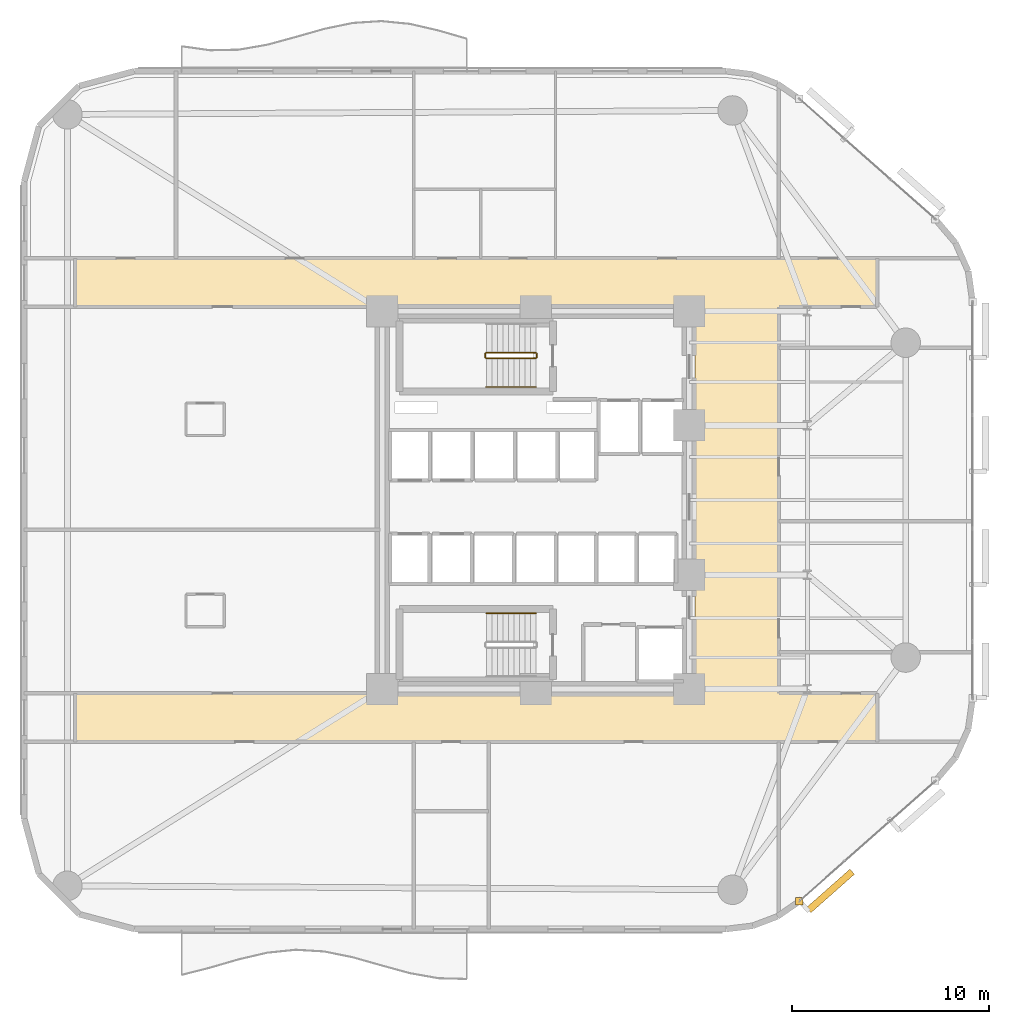
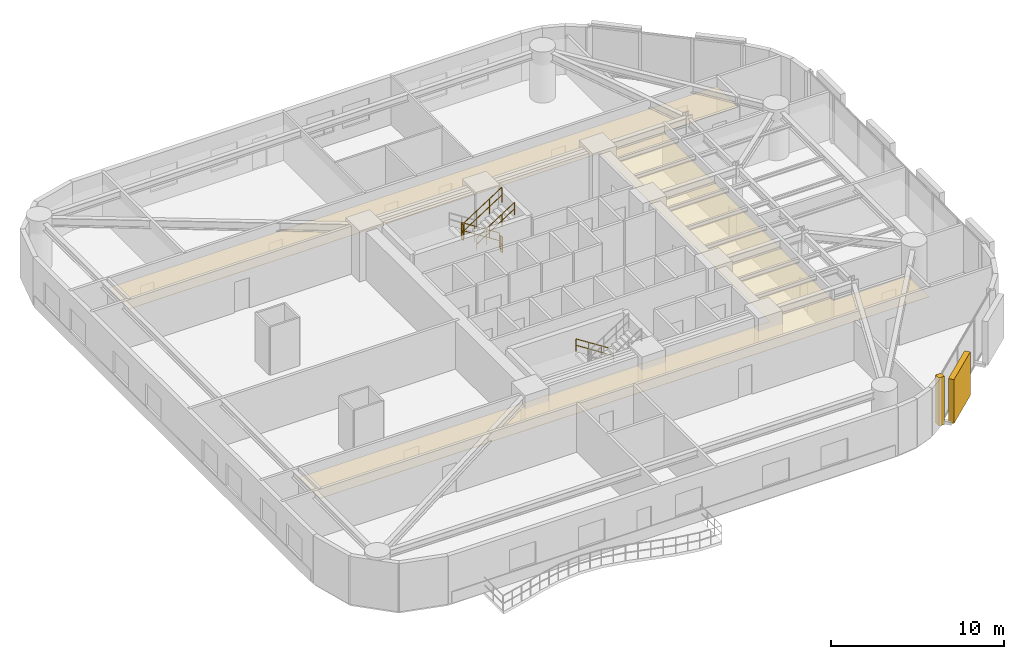
# One storey, part 15 of 16: 6 railings, 2 coverings, 1 shading device.
"""IFC4 building model written with IfcOpenShell, lengths in metres."""

from ifc_helpers import new_model, si_unit, direction, frame, origin, origin_2d, place, context, subcontext, project, spatial, polyline, rectangle, circle, outline, extrude, material, layer, layer_set, type_object, element, save


model = new_model("IFC4")

# Units and contexts
model_context = context("Model", 3, precision=1e-05, world=origin(), true_north=direction((0.0, 1.0)))
body_context = subcontext(model_context, "Body", "Model", "MODEL_VIEW")
ifc_project = project(units=[si_unit("LENGTHUNIT", "METRE"), si_unit("AREAUNIT", "SQUARE_METRE"), si_unit("VOLUMEUNIT", "CUBIC_METRE"), si_unit("PLANEANGLEUNIT", "RADIAN"), si_unit("MASSUNIT", "GRAM", prefix="KILO")], contexts=[model_context])

# Site, building, storey
site_placement = place(None, origin())
site = spatial("IfcSite", under=ifc_project, at=site_placement, CompositionType="ELEMENT")
building_placement = place(site_placement, origin())
building = spatial("IfcBuilding", under=site, at=building_placement, Name="An Khanh Terracotta Commons", CompositionType="ELEMENT")
storey_placement = place(building_placement, frame((0.0, 0.0, 43.199951171875)))
storey = spatial("IfcBuildingStorey", under=building, at=storey_placement, Name="L11", CompositionType="ELEMENT", Elevation=43.199951171875)

# Coverings
ifc_material_1 = material(Name="Perforated Mineral-Fibre Acoustic Tile")
ifc_layer_1 = layer(ifc_material_1, 0.02001953125, Name="Perforated Mineral-Fibre Acoustic Tile")
ifc_layer_set_1 = layer_set([ifc_layer_1], Name="Perforated Mineral-Fibre Acoustic Tile")
covering_type_1 = type_object("IfcCoveringType", Name="CEIL-ACOUSTIC-18", PredefinedType="CEILING", material=ifc_layer_set_1)
covering_1_placement = place(storey_placement, frame((0.0, 0.0, 2.650146484375)))
element("IfcCovering", 1, at=covering_1_placement, inside=storey, type_object=covering_type_1, Name="L11 Corridor Ceiling", PredefinedType="CEILING", context=body_context, shape_type="SweptSolid", body=[
    extrude(outline(polyline([(37.5, 14.179931640625), (37.5, 33.820068359375), (6.0, 33.820068359375), (6.0, 36.280029296875), (37.5, 36.280029296875), (41.75, 36.280029296875), (46.75, 36.280029296875), (46.75, 33.820068359375), (41.75, 33.820068359375), (41.75, 14.179931640625), (46.75, 14.179931640625), (46.75, 11.719970703125), (41.75, 11.719970703125), (37.5, 11.719970703125), (6.0, 11.719970703125), (6.0, 14.179931640625), (37.5, 14.179931640625)])), origin(), (0.0, 0.0, 1.0), 0.02001953125),
])
ifc_material_2 = material(Name="Fired Terracotta Rainscreen Cladding", Category="masonry")
ifc_layer_2 = layer(ifc_material_2, 0.080078125, Name="Fired Terracotta Rainscreen Cladding")
ifc_layer_set_2 = layer_set([ifc_layer_2], Name="Fired Terracotta Rainscreen Cladding")
covering_type_2 = type_object("IfcCoveringType", Name="COV-JAMB-TERRA", PredefinedType="CLADDING", material=ifc_layer_set_2)
covering_2_placement = place(storey_placement, frame((42.7890625, 3.60595703125, 0.0), z_axis=(0.0, 0.0, 1.0), x_axis=(1.0, 0.0, 0.0)))
element("IfcCovering", 2, at=covering_2_placement, inside=storey, type_object=covering_type_2, Name="L11 CW-02 Curtain-Wall Jamb Closure JA", PredefinedType="CLADDING", context=body_context, shape_type="SweptSolid", body=[
    extrude(rectangle(XDim=0.3798828125, YDim=0.3798828125, at=origin_2d()), origin(), (0.0, 0.0, 1.0), 3.39990234375),
])

# Railings
ifc_material_3 = material(Name="Brushed Stainless Steel 316", Category="steel")
railing_type_1 = type_object("IfcRailingType", Name="RAIL-HANDRAIL-900", PredefinedType="HANDRAIL", material=ifc_material_3)
railing_1_placement = place(storey_placement, frame((26.889892578125, 29.75, 1.97998046875)))
element("IfcRailing", 3, at=railing_1_placement, inside=storey, type_object=railing_type_1, Name="L11 ST-01 stair handrail 2", PredefinedType="HANDRAIL", context=body_context, shape_type="SweptSolid", body=[
    extrude(circle(Radius=0.02392578125, at=origin_2d()), frame((0.0, 0.0, 0.8759765625), z_axis=(0.841162588446, 0.0, 0.540782303519), x_axis=(0.0, 1.0, 0.0)), (0.0, 0.0, 1.0), 2.995849609375),
    extrude(circle(Radius=0.02392578125, at=origin_2d()), frame((0.0, 0.0, 0.42578125), z_axis=(0.841162588446, 0.0, 0.540782303519), x_axis=(0.0, 1.0, 0.0)), (0.0, 0.0, 1.0), 2.995849609375),
    extrude(circle(Radius=0.02099609375, at=origin_2d()), origin(), (0.0, 0.0, 1.0), 0.851806640625),
    extrude(circle(Radius=0.02099609375, at=origin_2d()), frame((0.840087890625, 0.0, 0.5400390625)), (0.0, 0.0, 1.0), 0.851806640625),
    extrude(circle(Radius=0.02099609375, at=origin_2d()), frame((1.679931640625, 0.0, 1.080078125)), (0.0, 0.0, 1.0), 0.851806640625),
    extrude(circle(Radius=0.02099609375, at=origin_2d()), frame((2.52001953125, 0.0, 1.6201171875)), (0.0, 0.0, 1.0), 0.851806640625),
])
railing_2_placement = place(storey_placement, frame((29.409912109375, 18.25, 0.179931640625)))
element("IfcRailing", 4, at=railing_2_placement, inside=storey, type_object=railing_type_1, Name="L11 ST-02 stair handrail 1", PredefinedType="HANDRAIL", context=body_context, shape_type="SweptSolid", body=[
    extrude(circle(Radius=0.02392578125, at=origin_2d()), frame((0.0, 0.0, 0.8759765625), z_axis=(-0.841162588446, 0.0, 0.540782303519), x_axis=(0.0, -1.0, 0.0)), (0.0, 0.0, 1.0), 2.995849609375),
    extrude(circle(Radius=0.02392578125, at=origin_2d()), frame((0.0, 0.0, 0.42578125), z_axis=(-0.841162588446, 0.0, 0.540782303519), x_axis=(0.0, -1.0, 0.0)), (0.0, 0.0, 1.0), 2.995849609375),
    extrude(circle(Radius=0.02099609375, at=origin_2d()), origin(), (0.0, 0.0, 1.0), 0.851806640625),
    extrude(circle(Radius=0.02099609375, at=origin_2d()), frame((-0.840087890625, 0.0, 0.5400390625)), (0.0, 0.0, 1.0), 0.851806640625),
    extrude(circle(Radius=0.02099609375, at=origin_2d()), frame((-1.679931640625, 0.0, 1.080078125)), (0.0, 0.0, 1.0), 0.851806640625),
    extrude(circle(Radius=0.02099609375, at=origin_2d()), frame((-2.52001953125, 0.0, 1.6201171875)), (0.0, 0.0, 1.0), 0.851806640625),
])
ifc_material_4 = material(Name="Powder-Coated Steel S355J2", Category="steel")
railing_type_2 = type_object("IfcRailingType", Name="RAIL-STAIR-GUARD-1100", PredefinedType="BALUSTRADE", material=ifc_material_4)
railing_3_placement = place(storey_placement, frame((29.409912109375, 31.5, 0.179931640625)))
element("IfcRailing", 5, at=railing_3_placement, inside=storey, type_object=railing_type_2, Name="L11 ST-01 stair guard 1", PredefinedType="BALUSTRADE", context=body_context, shape_type="SweptSolid", body=[
    extrude(circle(Radius=0.02392578125, at=origin_2d()), frame((0.0, 0.0, 1.076171875), z_axis=(-0.841162588446, 0.0, 0.540782303519), x_axis=(0.0, -1.0, 0.0)), (0.0, 0.0, 1.0), 2.995849609375),
    extrude(circle(Radius=0.02392578125, at=origin_2d()), frame((0.0, 0.0, 0.52587890625), z_axis=(-0.841162588446, 0.0, 0.540782303519), x_axis=(0.0, -1.0, 0.0)), (0.0, 0.0, 1.0), 2.995849609375),
    extrude(circle(Radius=0.02099609375, at=origin_2d()), origin(), (0.0, 0.0, 1.0), 1.052001953125),
    extrude(circle(Radius=0.02099609375, at=origin_2d()), frame((-0.840087890625, 0.0, 0.5400390625)), (0.0, 0.0, 1.0), 1.052001953125),
    extrude(circle(Radius=0.02099609375, at=origin_2d()), frame((-1.679931640625, 0.0, 1.080078125)), (0.0, 0.0, 1.0), 1.052001953125),
    extrude(circle(Radius=0.02099609375, at=origin_2d()), frame((-2.52001953125, 0.0, 1.6201171875)), (0.0, 0.0, 1.0), 1.052001953125),
])
railing_4_placement = place(storey_placement, frame((26.840087890625, 31.449951171875, 1.800048828125)))
element("IfcRailing", 6, at=railing_4_placement, inside=storey, type_object=railing_type_2, Name="L11 ST-01 stair guard 2", PredefinedType="BALUSTRADE", context=body_context, shape_type="SweptSolid", body=[
    extrude(circle(Radius=0.02392578125, at=origin_2d()), frame((0.0, 0.0, 1.076171875), z_axis=(0.0, -1.0, 0.0), x_axis=(1.0, 0.0, 0.0)), (0.0, 0.0, 1.0), 0.199951171875),
    extrude(circle(Radius=0.02392578125, at=origin_2d()), frame((0.0, 0.0, 0.52587890625), z_axis=(0.0, -1.0, 0.0), x_axis=(1.0, 0.0, 0.0)), (0.0, 0.0, 1.0), 0.199951171875),
    extrude(circle(Radius=0.02099609375, at=origin_2d()), origin(), (0.0, 0.0, 1.0), 1.052001953125),
    extrude(circle(Radius=0.02099609375, at=origin_2d()), frame((0.0, -0.199951171875, 0.0)), (0.0, 0.0, 1.0), 1.052001953125),
])
railing_5_placement = place(storey_placement, frame((26.889892578125, 31.199951171875, 1.97998046875)))
element("IfcRailing", 7, at=railing_5_placement, inside=storey, type_object=railing_type_2, Name="L11 ST-01 stair guard 3", PredefinedType="BALUSTRADE", context=body_context, shape_type="SweptSolid", body=[
    extrude(circle(Radius=0.02392578125, at=origin_2d()), frame((0.0, 0.0, 1.076171875), z_axis=(0.841162588446, 0.0, 0.540782303519), x_axis=(0.0, 1.0, 0.0)), (0.0, 0.0, 1.0), 2.995849609375),
    extrude(circle(Radius=0.02392578125, at=origin_2d()), frame((0.0, 0.0, 0.52587890625), z_axis=(0.841162588446, 0.0, 0.540782303519), x_axis=(0.0, 1.0, 0.0)), (0.0, 0.0, 1.0), 2.995849609375),
    extrude(circle(Radius=0.02099609375, at=origin_2d()), origin(), (0.0, 0.0, 1.0), 1.052001953125),
    extrude(circle(Radius=0.02099609375, at=origin_2d()), frame((0.840087890625, 0.0, 0.5400390625)), (0.0, 0.0, 1.0), 1.052001953125),
    extrude(circle(Radius=0.02099609375, at=origin_2d()), frame((1.679931640625, 0.0, 1.080078125)), (0.0, 0.0, 1.0), 1.052001953125),
    extrude(circle(Radius=0.02099609375, at=origin_2d()), frame((2.52001953125, 0.0, 1.6201171875)), (0.0, 0.0, 1.0), 1.052001953125),
])
railing_6_placement = place(storey_placement, frame((29.4599609375, 31.449951171875, 0.0)))
element("IfcRailing", 8, at=railing_6_placement, inside=storey, type_object=railing_type_2, Name="L11 ST-01 stair guard 4", PredefinedType="BALUSTRADE", context=body_context, shape_type="SweptSolid", body=[
    extrude(circle(Radius=0.02392578125, at=origin_2d()), frame((0.0, 0.0, 1.076171875), z_axis=(0.0, -1.0, 0.0), x_axis=(1.0, 0.0, 0.0)), (0.0, 0.0, 1.0), 0.199951171875),
    extrude(circle(Radius=0.02392578125, at=origin_2d()), frame((0.0, 0.0, 0.52587890625), z_axis=(0.0, -1.0, 0.0), x_axis=(1.0, 0.0, 0.0)), (0.0, 0.0, 1.0), 0.199951171875),
    extrude(circle(Radius=0.02099609375, at=origin_2d()), origin(), (0.0, 0.0, 1.0), 1.052001953125),
    extrude(circle(Radius=0.02099609375, at=origin_2d()), frame((0.0, -0.199951171875, 0.0)), (0.0, 0.0, 1.0), 1.052001953125),
])

# Shading device
ifc_material_5 = material(Name="Extruded Fired Terracotta", Category="masonry")
shading_device_type = type_object("IfcShadingDeviceType", Name="Terracotta Baguette Screen Assembly", PredefinedType="USERDEFINED", material=ifc_material_5)
shading_device_placement = place(storey_placement, frame((44.373046875, 4.138916015625, 0.14990234375), z_axis=(0.0, 0.0, 1.0), x_axis=(0.749019284633, 0.662548195415, 0.0)))
element("IfcShadingDevice", 9, at=shading_device_placement, inside=storey, type_object=shading_device_type, Name="L11 Terracotta Baguette Screen 1", ObjectType="BAGUETTE", PredefinedType="USERDEFINED", context=body_context, shape_type="SweptSolid", body=[
    extrude(rectangle(XDim=2.9599609375, YDim=0.35009765625, at=origin_2d()), origin(), (0.0, 0.0, 1.0), 3.10009765625),
])

save(model, "model.ifc")
